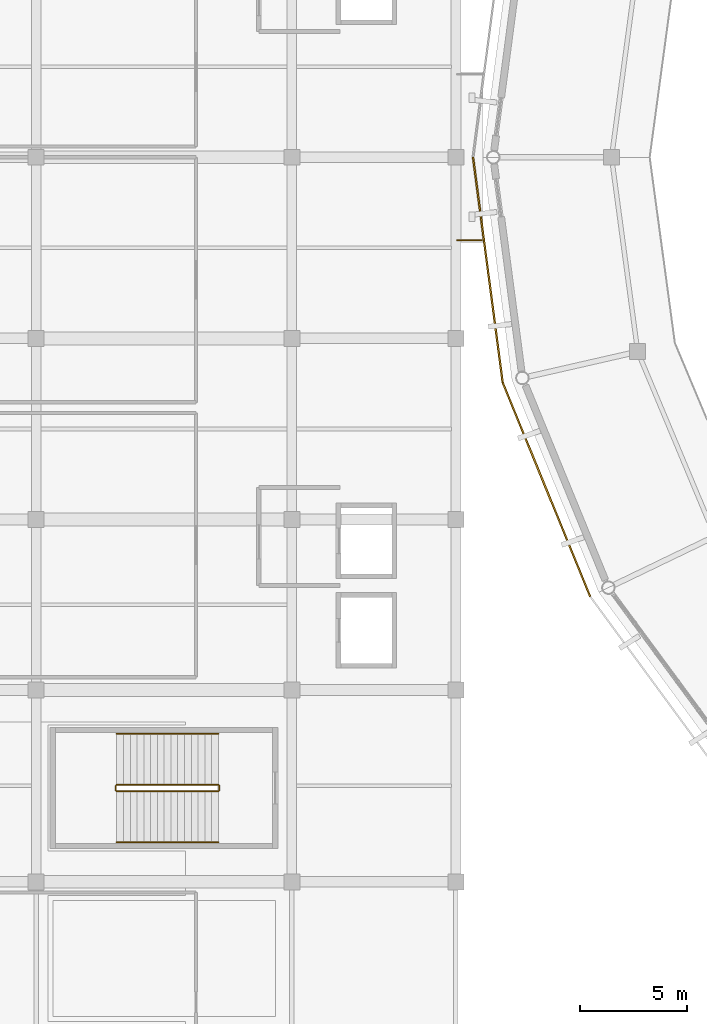
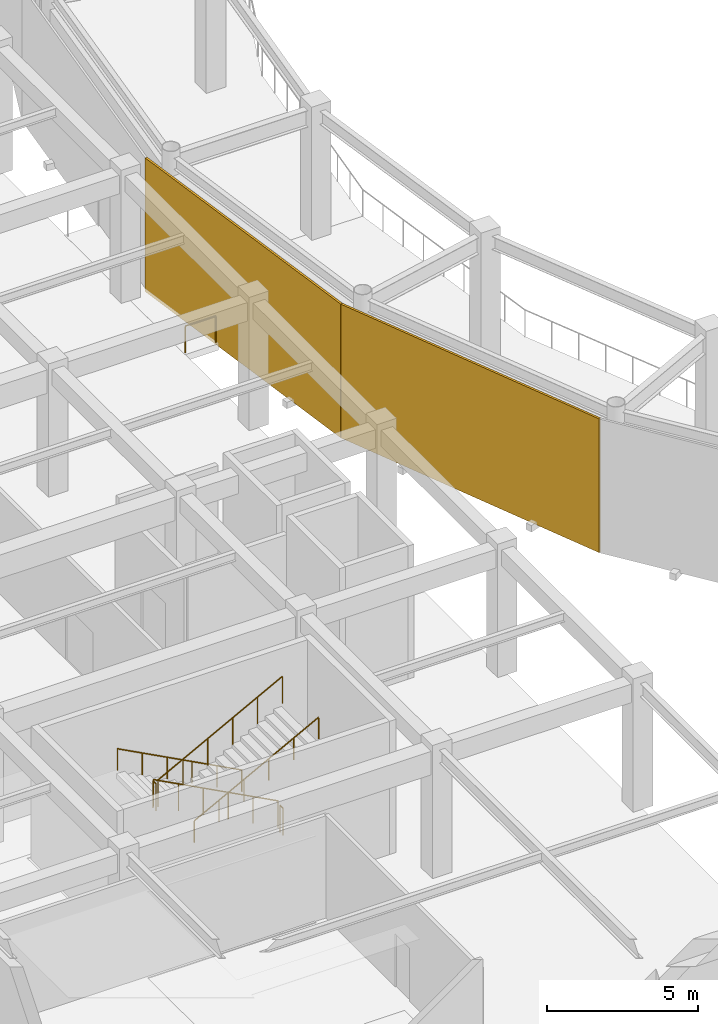
# One storey, part 63 of 70: 7 railings, 2 coverings.
"""IFC4 building model written with IfcOpenShell, lengths in metres."""

from ifc_helpers import new_model, si_unit, direction, frame, frame_2d, origin, origin_2d, place, context, subcontext, project, spatial, rectangle, circle, extrude, material, layer, layer_set, type_object, element, save


model = new_model("IFC4")

# Units and contexts
model_context = context("Model", 3, precision=1e-05, world=origin(), true_north=direction((0.0, 1.0)))
body_context = subcontext(model_context, "Body", "Model", "MODEL_VIEW")
ifc_project = project(units=[si_unit("LENGTHUNIT", "METRE"), si_unit("AREAUNIT", "SQUARE_METRE"), si_unit("VOLUMEUNIT", "CUBIC_METRE"), si_unit("PLANEANGLEUNIT", "RADIAN"), si_unit("MASSUNIT", "GRAM", prefix="KILO")], contexts=[model_context])

# Site, building, storey
site_placement = place(None, origin())
site = spatial("IfcSite", under=ifc_project, at=site_placement, CompositionType="ELEMENT")
building_placement = place(site_placement, origin())
building = spatial("IfcBuilding", under=site, at=building_placement, Name="Cuetzalor Civic Arena", CompositionType="ELEMENT")
storey_placement = place(building_placement, frame((0.0, 0.0, 21.0)))
storey = spatial("IfcBuildingStorey", under=building, at=storey_placement, Name="L04", CompositionType="ELEMENT", Elevation=21.0)

# Railings
ifc_material_1 = material(Name="Reseda-green architectural Steel S355 balustrade", Category="steel")
railing_type_1 = type_object("IfcRailingType", Name="InteriorVoidBalustrade_1100", PredefinedType="BALUSTRADE", material=ifc_material_1)
railing_1_placement = place(storey_placement, frame((-67.449951171875, -29.449951171875, 0.168701171875)))
element("IfcRailing", 1, at=railing_1_placement, inside=storey, type_object=railing_type_1, Name="L04 ST-16 stair guard 1", PredefinedType="BALUSTRADE", context=body_context, shape_type="SweptSolid", body=[
    extrude(circle(Radius=0.02392578125, at=origin_2d()), frame((0.0, 0.0, 1.0810546875), z_axis=(-0.883332211103, 0.0, 0.468747485143), x_axis=(0.0, -1.0, 0.0)), (0.0, 0.0, 1.0), 5.400146484375),
    extrude(circle(Radius=0.02099609375, at=origin_2d()), origin(), (0.0, 0.0, 1.0), 1.056884765625),
    extrude(circle(Radius=0.02099609375, at=origin_2d()), frame((-0.9541015625, 0.0, 0.50634765625)), (0.0, 0.0, 1.0), 1.056884765625),
    extrude(circle(Radius=0.02099609375, at=origin_2d()), frame((-1.907958984375, 0.0, 1.012451171875)), (0.0, 0.0, 1.0), 1.056884765625),
    extrude(circle(Radius=0.02099609375, at=origin_2d()), frame((-2.862060546875, 0.0, 1.518798828125)), (0.0, 0.0, 1.0), 1.056884765625),
    extrude(circle(Radius=0.02099609375, at=origin_2d()), frame((-3.81591796875, 0.0, 2.02490234375)), (0.0, 0.0, 1.0), 1.056884765625),
    extrude(circle(Radius=0.02099609375, at=origin_2d()), frame((-4.77001953125, 0.0, 2.53125)), (0.0, 0.0, 1.0), 1.056884765625),
])
railing_2_placement = place(storey_placement, frame((-72.27001953125, -29.5, 2.699951171875)))
element("IfcRailing", 2, at=railing_2_placement, inside=storey, type_object=railing_type_1, Name="L04 ST-16 stair guard 2", PredefinedType="BALUSTRADE", context=body_context, shape_type="SweptSolid", body=[
    extrude(circle(Radius=0.02392578125, at=origin_2d()), frame((0.0, 0.0, 1.0810546875), z_axis=(0.0, -1.0, 0.0), x_axis=(1.0, 0.0, 0.0)), (0.0, 0.0, 1.0), 0.199951171875),
    extrude(circle(Radius=0.02099609375, at=origin_2d()), origin(), (0.0, 0.0, 1.0), 1.056884765625),
    extrude(circle(Radius=0.02099609375, at=origin_2d()), frame((0.0, -0.199951171875, 0.0)), (0.0, 0.0, 1.0), 1.056884765625),
])
railing_3_placement = place(storey_placement, frame((-72.219970703125, -29.75, 2.86865234375)))
element("IfcRailing", 3, at=railing_3_placement, inside=storey, type_object=railing_type_1, Name="L04 ST-16 stair guard 3", PredefinedType="BALUSTRADE", context=body_context, shape_type="SweptSolid", body=[
    extrude(circle(Radius=0.02392578125, at=origin_2d()), frame((0.0, 0.0, 1.0810546875), z_axis=(0.883332211103, 0.0, 0.468747485143), x_axis=(0.0, 1.0, 0.0)), (0.0, 0.0, 1.0), 5.400146484375),
    extrude(circle(Radius=0.02099609375, at=origin_2d()), origin(), (0.0, 0.0, 1.0), 1.056884765625),
    extrude(circle(Radius=0.02099609375, at=origin_2d()), frame((0.9541015625, 0.0, 0.50634765625)), (0.0, 0.0, 1.0), 1.056884765625),
    extrude(circle(Radius=0.02099609375, at=origin_2d()), frame((1.907958984375, 0.0, 1.012451171875)), (0.0, 0.0, 1.0), 1.056884765625),
    extrude(circle(Radius=0.02099609375, at=origin_2d()), frame((2.862060546875, 0.0, 1.518798828125)), (0.0, 0.0, 1.0), 1.056884765625),
    extrude(circle(Radius=0.02099609375, at=origin_2d()), frame((3.81591796875, 0.0, 2.02490234375)), (0.0, 0.0, 1.0), 1.056884765625),
    extrude(circle(Radius=0.02099609375, at=origin_2d()), frame((4.77001953125, 0.0, 2.53125)), (0.0, 0.0, 1.0), 1.056884765625),
])
railing_4_placement = place(storey_placement, frame((-67.39990234375, -29.5, 0.0)))
element("IfcRailing", 4, at=railing_4_placement, inside=storey, type_object=railing_type_1, Name="L04 ST-16 stair guard 4", PredefinedType="BALUSTRADE", context=body_context, shape_type="SweptSolid", body=[
    extrude(circle(Radius=0.02392578125, at=origin_2d()), frame((0.0, 0.0, 1.0810546875), z_axis=(0.0, -1.0, 0.0), x_axis=(1.0, 0.0, 0.0)), (0.0, 0.0, 1.0), 0.199951171875),
    extrude(circle(Radius=0.02099609375, at=origin_2d()), origin(), (0.0, 0.0, 1.0), 1.056884765625),
    extrude(circle(Radius=0.02099609375, at=origin_2d()), frame((0.0, -0.199951171875, 0.0)), (0.0, 0.0, 1.0), 1.056884765625),
])
railing_5_placement = place(storey_placement, frame((-56.25, -3.89990234375, 0.0)))
element("IfcRailing", 5, at=railing_5_placement, inside=storey, type_object=railing_type_1, Name="Seismic Bridge Balustrade V4W L04 S", PredefinedType="BALUSTRADE", context=body_context, shape_type="SweptSolid", body=[
    extrude(circle(Radius=0.02392578125, at=origin_2d()), frame((0.0, 0.0, 1.076171875), z_axis=(1.0, 0.0, 0.0), x_axis=(0.0, 1.0, 0.0)), (0.0, 0.0, 1.0), 1.169921875),
    extrude(circle(Radius=0.02099609375, at=origin_2d()), origin(), (0.0, 0.0, 1.0), 1.052001953125),
    extrude(circle(Radius=0.02099609375, at=origin_2d()), frame((1.169921875, 0.0, 0.0)), (0.0, 0.0, 1.0), 1.052001953125),
])
ifc_material_2 = material(Name="Galvanised steel S355", Category="steel")
railing_type_2 = type_object("IfcRailingType", Name="StairPitchHandrail_900", PredefinedType="HANDRAIL", material=ifc_material_2)
railing_6_placement = place(storey_placement, frame((-67.449951171875, -27.050048828125, 0.168701171875)))
element("IfcRailing", 6, at=railing_6_placement, inside=storey, type_object=railing_type_2, Name="L04 ST-16 stair handrail 1", PredefinedType="HANDRAIL", context=body_context, shape_type="SweptSolid", body=[
    extrude(circle(Radius=0.02392578125, at=origin_2d()), frame((0.0, 0.0, 0.8759765625), z_axis=(-0.883332211103, 0.0, 0.468747485143), x_axis=(0.0, -1.0, 0.0)), (0.0, 0.0, 1.0), 5.400146484375),
    extrude(circle(Radius=0.02099609375, at=origin_2d()), origin(), (0.0, 0.0, 1.0), 0.851806640625),
    extrude(circle(Radius=0.02099609375, at=origin_2d()), frame((-0.9541015625, 0.0, 0.50634765625)), (0.0, 0.0, 1.0), 0.851806640625),
    extrude(circle(Radius=0.02099609375, at=origin_2d()), frame((-1.907958984375, 0.0, 1.012451171875)), (0.0, 0.0, 1.0), 0.851806640625),
    extrude(circle(Radius=0.02099609375, at=origin_2d()), frame((-2.862060546875, 0.0, 1.518798828125)), (0.0, 0.0, 1.0), 0.851806640625),
    extrude(circle(Radius=0.02099609375, at=origin_2d()), frame((-3.81591796875, 0.0, 2.02490234375)), (0.0, 0.0, 1.0), 0.851806640625),
    extrude(circle(Radius=0.02099609375, at=origin_2d()), frame((-4.77001953125, 0.0, 2.53125)), (0.0, 0.0, 1.0), 0.851806640625),
])
railing_7_placement = place(storey_placement, frame((-72.219970703125, -32.14990234375, 2.86865234375)))
element("IfcRailing", 7, at=railing_7_placement, inside=storey, type_object=railing_type_2, Name="L04 ST-16 stair handrail 2", PredefinedType="HANDRAIL", context=body_context, shape_type="SweptSolid", body=[
    extrude(circle(Radius=0.02392578125, at=origin_2d()), frame((0.0, 0.0, 0.8759765625), z_axis=(0.883332211103, 0.0, 0.468747485143), x_axis=(0.0, 1.0, 0.0)), (0.0, 0.0, 1.0), 5.400146484375),
    extrude(circle(Radius=0.02099609375, at=origin_2d()), origin(), (0.0, 0.0, 1.0), 0.851806640625),
    extrude(circle(Radius=0.02099609375, at=origin_2d()), frame((0.9541015625, 0.0, 0.50634765625)), (0.0, 0.0, 1.0), 0.851806640625),
    extrude(circle(Radius=0.02099609375, at=origin_2d()), frame((1.907958984375, 0.0, 1.012451171875)), (0.0, 0.0, 1.0), 0.851806640625),
    extrude(circle(Radius=0.02099609375, at=origin_2d()), frame((2.862060546875, 0.0, 1.518798828125)), (0.0, 0.0, 1.0), 0.851806640625),
    extrude(circle(Radius=0.02099609375, at=origin_2d()), frame((3.81591796875, 0.0, 2.02490234375)), (0.0, 0.0, 1.0), 0.851806640625),
    extrude(circle(Radius=0.02099609375, at=origin_2d()), frame((4.77001953125, 0.0, 2.53125)), (0.0, 0.0, 1.0), 0.851806640625),
])

# Coverings
ifc_material_3 = material(Name="Terracotta-red perforated anodised aluminium panel", Category="masonry")
ifc_layer = layer(ifc_material_3, 0.080078125)
ifc_layer_set = layer_set([ifc_layer], Name="Terracotta-red perforated anodised aluminium panel")
covering_type = type_object("IfcCoveringType", Name="TerracottaPerforatedScreenPanel", PredefinedType="CLADDING", material=ifc_layer_set)
covering_1_placement = place(storey_placement, frame((-54.1083984375, -10.569580078125, -0.139892578125), z_axis=(0.0, 0.0, 1.0), x_axis=(-0.130534485624, 0.991443769491, 0.0)))
element("IfcCovering", 8, at=covering_1_placement, inside=storey, type_object=covering_type, Name="Terracotta Perforated Drum Screen L04-S15", PredefinedType="CLADDING", context=body_context, shape_type="SweptSolid", body=[
    extrude(rectangle(XDim=10.660888671875, YDim=0.080078125, at=frame_2d((5.33056640625, 0.0))), origin(), (0.0, 0.0, 1.0), 5.419921875),
])
covering_2_placement = place(storey_placement, frame((-50.00390625, -20.609619140625, -0.139892578125), z_axis=(0.0, 0.0, 1.0), x_axis=(-0.378411973316, 0.925637282336, 0.0)))
element("IfcCovering", 9, at=covering_2_placement, inside=storey, type_object=covering_type, Name="Terracotta Perforated Drum Screen L04-S16", PredefinedType="CLADDING", context=body_context, shape_type="SweptSolid", body=[
    extrude(rectangle(XDim=10.8466796875, YDim=0.080078125, at=frame_2d((5.42333984375, 0.0))), origin(), (0.0, 0.0, 1.0), 5.419921875),
])

save(model, "model.ifc")
